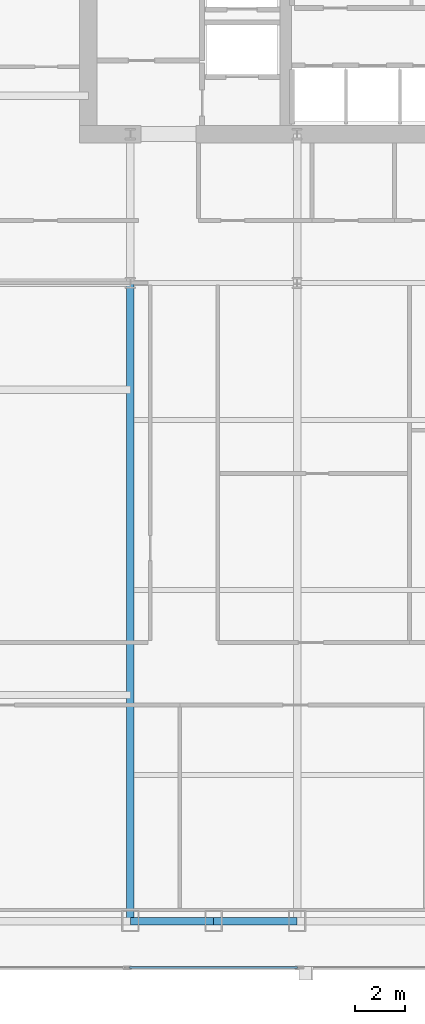
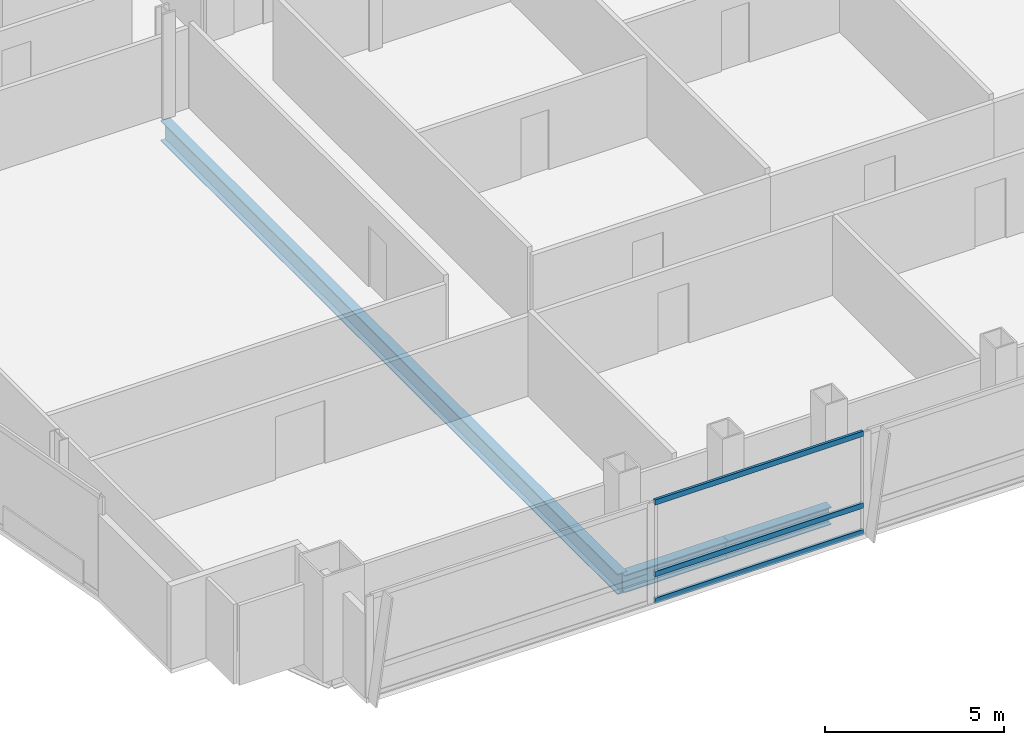
# One storey, part 7 of 29: 3 beams, 3 members, 1 element without a shape of its own.
"""IFC4 building model written with IfcOpenShell, lengths in metres."""

from ifc_helpers import new_model, si_unit, direction, frame, origin, origin_2d, place, context, subcontext, project, spatial, hollow_rectangle, i_section, extrude, material, material_profile, profile_set, type_object, element, aggregate, save


model = new_model("IFC4")

# Units and contexts
model_context = context("Model", 3, precision=1e-05, world=origin(), true_north=direction((0.0, 1.0)))
body_context = subcontext(model_context, "Body", "Model", "MODEL_VIEW")
ifc_project = project(units=[si_unit("LENGTHUNIT", "METRE"), si_unit("AREAUNIT", "SQUARE_METRE"), si_unit("VOLUMEUNIT", "CUBIC_METRE"), si_unit("PLANEANGLEUNIT", "RADIAN"), si_unit("MASSUNIT", "GRAM", prefix="KILO")], contexts=[model_context])

# Site, building, storey
site_placement = place(None, origin())
site = spatial("IfcSite", under=ifc_project, at=site_placement, CompositionType="ELEMENT")
building_placement = place(site_placement, origin())
building = spatial("IfcBuilding", under=site, at=building_placement, Name="Khoronbel Lancet Exchange", CompositionType="ELEMENT")
storey_placement = place(building_placement, frame((0.0, 0.0, 150.60009765625)))
storey = spatial("IfcBuildingStorey", under=building, at=storey_placement, Name="L37", CompositionType="ELEMENT", Elevation=150.60009765625)

# Beams
ifc_material_1 = material(Name="Steel S355", Category="steel")
ifc_material_profile_1 = material_profile(ifc_material_1, i_section(OverallWidth=0.300048828125, OverallDepth=0.699951171875, WebThickness=0.01708984375, FlangeThickness=0.031982421875, at=origin_2d()), Name="HEB 700")
ifc_profile_set_1 = profile_set([ifc_material_profile_1], Name="Steel S355")
beam_type_1 = type_object("IfcBeamType", Name="BM-BG3", PredefinedType="BEAM", material=ifc_profile_set_1)
beam_placement = place(storey_placement, frame((18.22509765625, 10.14990234375, -0.510009765625), z_axis=(0.0, 1.0, 0.0), x_axis=(-1.0, 0.0, 0.0)))
element("IfcBeam", 1, at=beam_placement, inside=storey, type_object=beam_type_1, Name="Level L37 south primary girder GS1", PredefinedType="BEAM", context=body_context, shape_type="SweptSolid", body=[
    extrude(i_section(OverallWidth=0.300048828125, OverallDepth=0.699951171875, WebThickness=0.01708984375, FlangeThickness=0.031982421875, at=origin_2d()), origin(), (0.0, 0.0, 1.0), 25.550048828125),
])
ifc_material_profile_2 = material_profile(ifc_material_1, i_section(OverallWidth=0.300048828125, OverallDepth=0.60009765625, WebThickness=0.015380859375, FlangeThickness=0.030029296875, at=origin_2d()), Name="HEB 600")
ifc_profile_set_2 = profile_set([ifc_material_profile_2], Name="Steel S355")
beam_type_2 = type_object("IfcBeamType", Name="BM-BSP2", PredefinedType="SPANDREL", material=ifc_profile_set_2)
for number, where, z_axis, x_axis, name in (
    (2, (18.22509765625, 10.14990234375, -0.460205078125), (1.0, 0.0, 0.0), (0.0, 1.0, 0.0), "Level L37 perimeter spandrel beam SP02"),
    (3, (21.5625, 10.14990234375, -0.460205078125), (1.0, 0.0, 0.0), (0.0, 1.0, 0.0), "Level L37 perimeter spandrel beam SP03"),
):
    element("IfcBeam", number, at=place(storey_placement, frame(where, z_axis=z_axis, x_axis=x_axis)), inside=storey, type_object=beam_type_2, Name=name, PredefinedType="SPANDREL", context=body_context, shape_type="SweptSolid", body=[
        extrude(i_section(OverallWidth=0.300048828125, OverallDepth=0.60009765625, WebThickness=0.015380859375, FlangeThickness=0.030029296875, at=origin_2d()), origin(), (0.0, 0.0, 1.0), 3.33740234375),
    ])

# Curtain wall, members
ifc_material_2 = material(Name="Low-E Solar Control Insulating Glass", Category="glass")
curtain_wall_type = type_object("IfcCurtainWallType", Name="CW-3", PredefinedType="NOTDEFINED", material=ifc_material_2)
curtain_wall_placement = place(storey_placement, origin())
curtain_wall = element("IfcCurtainWall", 4, at=curtain_wall_placement, inside=storey, type_object=curtain_wall_type, Name="Unitised curtain wall CW-L37-SWB", PredefinedType="NOTDEFINED")
ifc_material_3 = material(Name="Bronze-Anodised Aluminium 6063-T6", Category="aluminium")
ifc_material_profile_3 = material_profile(ifc_material_3, hollow_rectangle(XDim=0.0849609375, YDim=0.179931640625, WallThickness=0.0048828125, at=origin_2d()), Name="ALU TRANSOM 85x180")
ifc_profile_set_3 = profile_set([ifc_material_profile_3], Name="Bronze-Anodised Aluminium 6063-T6")
member_type = type_object("IfcMemberType", Name="MEM-CWT1", PredefinedType="USERDEFINED", material=ifc_profile_set_3)
member_1_placement = place(storey_placement, frame((18.18505859375, 8.2900390625, 0.04248046875), z_axis=(1.0, 0.0, 0.0), x_axis=(0.0, 1.0, 0.0)))
member_1 = element("IfcMember", 5, at=member_1_placement, type_object=member_type, Name="CW3 transom 1.1", ObjectType="TRANSOM", PredefinedType="USERDEFINED", context=body_context, shape_type="SweptSolid", body=[
    extrude(hollow_rectangle(XDim=0.0849609375, YDim=0.179931640625, WallThickness=0.0048828125, at=origin_2d()), origin(), (0.0, 0.0, 1.0), 6.72998046875),
])
member_2_placement = place(storey_placement, frame((18.18505859375, 8.2900390625, 0.949951171875), z_axis=(1.0, 0.0, 0.0), x_axis=(0.0, 1.0, 0.0)))
member_2 = element("IfcMember", 6, at=member_2_placement, type_object=member_type, Name="CW3 transom 1.2", ObjectType="TRANSOM", PredefinedType="USERDEFINED", context=body_context, shape_type="SweptSolid", body=[
    extrude(hollow_rectangle(XDim=0.0849609375, YDim=0.179931640625, WallThickness=0.0048828125, at=origin_2d()), origin(), (0.0, 0.0, 1.0), 6.72998046875),
])
member_3_placement = place(storey_placement, frame((18.18505859375, 8.2900390625, 3.3974609375), z_axis=(1.0, 0.0, 0.0), x_axis=(0.0, 1.0, 0.0)))
member_3 = element("IfcMember", 7, at=member_3_placement, type_object=member_type, Name="CW3 transom 1.3", ObjectType="TRANSOM", PredefinedType="USERDEFINED", context=body_context, shape_type="SweptSolid", body=[
    extrude(hollow_rectangle(XDim=0.0849609375, YDim=0.179931640625, WallThickness=0.0048828125, at=origin_2d()), origin(), (0.0, 0.0, 1.0), 6.72998046875),
])
aggregate(curtain_wall, [member_1, member_2, member_3])

save(model, "model.ifc")
